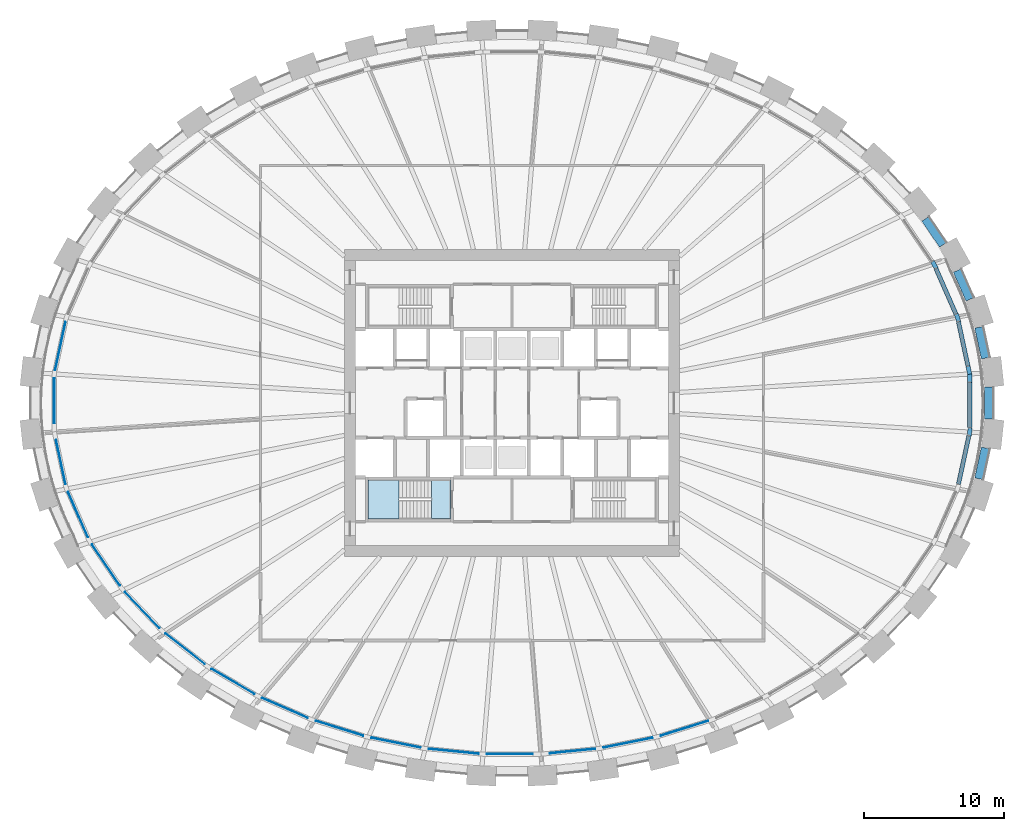
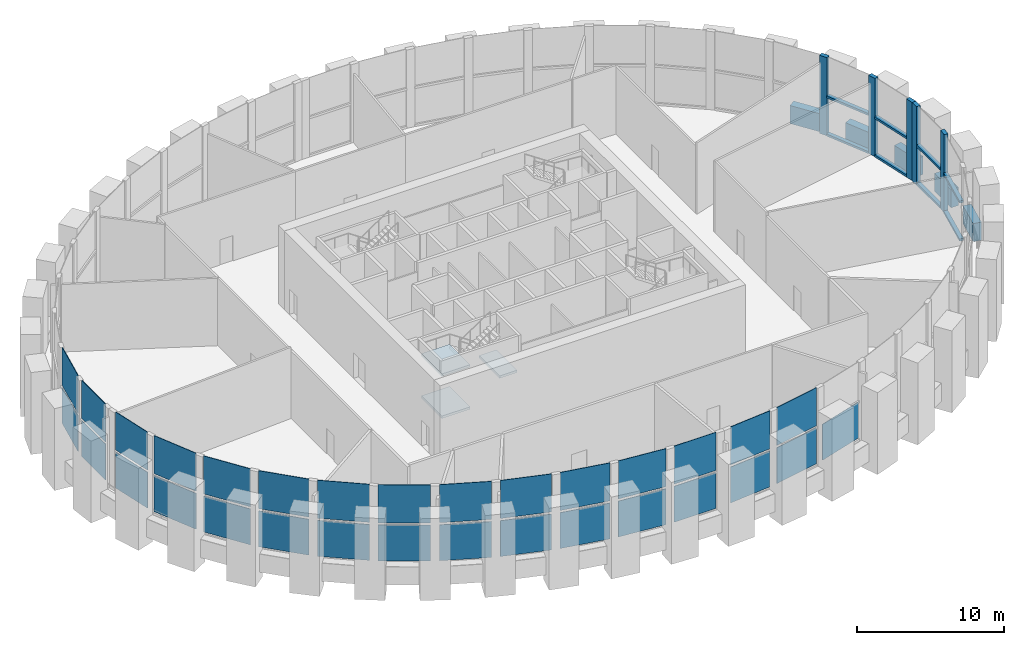
# One storey, part 5 of 16: 31 plates, 13 members, 5 beams, 3 slabs, 5 elements without a shape of their own.
"""IFC4 building model written with IfcOpenShell, lengths in metres."""

from ifc_helpers import new_model, si_unit, direction, frame, origin, origin_2d, place, context, subcontext, project, spatial, polyline, rectangle, outline, extrude, source, transform, mapped, material, layer, layer_set, material_profile, profile_set, type_object, element, aggregate, save


model = new_model("IFC4")

# Units and contexts
model_context = context("Model", 3, precision=1e-05, world=origin(), true_north=direction((0.0, 1.0)))
body_context = subcontext(model_context, "Body", "Model", "MODEL_VIEW")
ifc_project = project(units=[si_unit("LENGTHUNIT", "METRE"), si_unit("AREAUNIT", "SQUARE_METRE"), si_unit("VOLUMEUNIT", "CUBIC_METRE"), si_unit("PLANEANGLEUNIT", "RADIAN"), si_unit("MASSUNIT", "GRAM", prefix="KILO")], contexts=[model_context])

# Site, building, storey
site_placement = place(None, origin())
site = spatial("IfcSite", under=ifc_project, at=site_placement, CompositionType="ELEMENT")
building_placement = place(site_placement, origin())
building = spatial("IfcBuilding", under=site, at=building_placement, Name="Embergate Tower", CompositionType="ELEMENT")
storey_placement = place(building_placement, frame((0.0, 0.0, 234.60009765625)))
storey = spatial("IfcBuildingStorey", under=building, at=storey_placement, Name="L54", CompositionType="ELEMENT", Elevation=234.60009765625)

# Beams
ifc_material_1 = material(Name="Concrete C60", Category="concrete")
ifc_material_profile_1 = material_profile(ifc_material_1, rectangle(XDim=0.60009765625, YDim=1.5, at=origin_2d()), Name="RC 600x1500")
ifc_profile_set_1 = profile_set([ifc_material_profile_1], Name="Concrete C60")
beam_type = type_object("IfcBeamType", Name="Spandrel beam RC 600x1500 C60", PredefinedType="BEAM", material=ifc_profile_set_1)
shared_shape_1 = source(origin(), body_context, "Body", "SweptSolid", [
    extrude(rectangle(XDim=0.60009765625, YDim=1.5, at=origin_2d()), origin(), (0.0, 0.0, 1.0), 2.256591796875),
])
for number, where, z_axis, x_axis, name in (
    (1, (33.89501953125, 3.217041015625, 0.0), (-0.210533806933, 0.977586577311, 0.0), (-0.977586577311, -0.210533806933, 0.0), "SPN-L54-00"),
    (2, (33.419921875, -5.423095703125, 0.0), (0.210533806933, 0.977586577311, 0.0), (-0.977586577311, 0.210533806933, 0.0), "SPN-L54-42"),
):
    element("IfcBeam", number, at=place(storey_placement, frame(where, z_axis=z_axis, x_axis=x_axis)), inside=storey, type_object=beam_type, Name=name, PredefinedType="BEAM", context=body_context, shape_type="MappedRepresentation", body=[
        mapped(shared_shape_1, transform((0.0, 0.0, 0.0))),
    ])
shared_shape_2 = source(origin(), body_context, "Body", "SweptSolid", [
    extrude(rectangle(XDim=0.60009765625, YDim=1.5, at=origin_2d()), origin(), (0.0, 0.0, 1.0), 2.252685546875),
])
beam_1_placement = place(storey_placement, frame((32.77392578125, 7.4208984375, 0.0), z_axis=(-0.401739626426, 0.915753936688, 0.0), x_axis=(-0.915753936688, -0.401739626426, 0.0)))
element("IfcBeam", 3, at=beam_1_placement, inside=storey, type_object=beam_type, Name="SPN-L54-01", PredefinedType="BEAM", context=body_context, shape_type="MappedRepresentation", body=[
    mapped(shared_shape_2, transform((0.0, 0.0, 0.0))),
])
shared_shape_3 = source(origin(), body_context, "Body", "SweptSolid", [
    extrude(rectangle(XDim=0.60009765625, YDim=1.5, at=origin_2d()), origin(), (0.0, 0.0, 1.0), 2.247802734375),
])
beam_2_placement = place(storey_placement, frame((30.85302734375, 11.322021484375, 0.0), z_axis=(-0.562271401441, 0.826952762328, 0.0), x_axis=(-0.826952762328, -0.562271401441, 0.0)))
element("IfcBeam", 4, at=beam_2_placement, inside=storey, type_object=beam_type, Name="SPN-L54-02", PredefinedType="BEAM", context=body_context, shape_type="MappedRepresentation", body=[
    mapped(shared_shape_3, transform((0.0, 0.0, 0.0))),
])
shared_shape_4 = source(origin(), body_context, "Body", "SweptSolid", [
    extrude(rectangle(XDim=0.60009765625, YDim=1.5, at=origin_2d()), origin(), (0.0, 0.0, 1.0), 2.26220703125),
])
beam_3_placement = place(storey_placement, frame((34.136962890625, -1.131103515625, 0.0), z_axis=(0.0, 1.0, 0.0), x_axis=(-1.0, 0.0, 0.0)))
element("IfcBeam", 5, at=beam_3_placement, inside=storey, type_object=beam_type, Name="SPN-L54-43", PredefinedType="BEAM", context=body_context, shape_type="MappedRepresentation", body=[
    mapped(shared_shape_4, transform((0.0, 0.0, 0.0))),
])

# Curtain wall, members
ifc_material_2 = material(Name="Aluminium and glass", Category="aluminium")
curtain_wall_type = type_object("IfcCurtainWallType", Name="Sky lobby high glazing", PredefinedType="NOTDEFINED", material=ifc_material_2)
curtain_wall_1_placement = place(storey_placement, origin())
curtain_wall_1 = element("IfcCurtainWall", 6, at=curtain_wall_1_placement, inside=storey, type_object=curtain_wall_type, Name="Sky lobby high glazing run 1", ObjectType="SKY LOBBY HIGH GLAZING", PredefinedType="USERDEFINED")
ifc_material_3 = material(Name="Aluminium, thermally broken", Category="aluminium")
ifc_material_profile_2 = material_profile(ifc_material_3, rectangle(XDim=0.300048828125, YDim=0.60009765625, at=origin_2d()), Name="AL 600x300")
ifc_profile_set_2 = profile_set([ifc_material_profile_2], Name="Aluminium, thermally broken")
member_type_1 = type_object("IfcMemberType", Name="Sky lobby mullion", PredefinedType="MULLION", material=ifc_profile_set_2)
shared_shape_5 = source(origin(), body_context, "Body", "SweptSolid", [
    extrude(rectangle(XDim=0.300048828125, YDim=0.60009765625, at=origin_2d()), origin(), (0.0, 0.0, 1.0), 6.5),
])
member_1_placement = place(storey_placement, frame((32.704345703125, 2.355224609375, 0.0), z_axis=(0.0, 0.0, 1.0), x_axis=(-0.977614996305, -0.210401803698, 0.0)))
member_1 = element("IfcMember", 7, at=member_1_placement, type_object=member_type_1, Name="CW mullion 1", PredefinedType="MULLION", context=body_context, shape_type="MappedRepresentation", body=[
    mapped(shared_shape_5, transform((0.0, 0.0, 0.0))),
])
member_2_placement = place(storey_placement, frame((31.899169921875, 6.096435546875, 0.0), z_axis=(0.0, 0.0, 1.0), x_axis=(-0.951490817264, -0.307677143547, 0.0)))
member_2 = element("IfcMember", 8, at=member_2_placement, type_object=member_type_1, Name="CW mullion 2", PredefinedType="MULLION", context=body_context, shape_type="MappedRepresentation", body=[
    mapped(shared_shape_5, transform((0.0, 0.0, 0.0))),
])
member_3_placement = place(storey_placement, frame((30.238525390625, 9.8828125, 0.0), z_axis=(0.0, 0.0, 1.0), x_axis=(-0.874989221314, -0.484142399078, 0.0)))
member_3 = element("IfcMember", 9, at=member_3_placement, type_object=member_type_1, Name="CW mullion 3", PredefinedType="MULLION", context=body_context, shape_type="MappedRepresentation", body=[
    mapped(shared_shape_5, transform((0.0, 0.0, 0.0))),
])

curtain_wall_2_placement = place(storey_placement, origin())
curtain_wall_2 = element("IfcCurtainWall", 10, at=curtain_wall_2_placement, inside=storey, type_object=curtain_wall_type, Name="Sky lobby high glazing run 4", ObjectType="SKY LOBBY HIGH GLAZING", PredefinedType="USERDEFINED")
member_4_placement = place(storey_placement, frame((32.767578125, -2.06201171875, 0.0), z_axis=(0.0, 0.0, 1.0), x_axis=(-0.994384031216, 0.105831934987, 0.0)))
member_4 = element("IfcMember", 11, at=member_4_placement, type_object=member_type_1, Name="CW mullion 11", PredefinedType="MULLION", context=body_context, shape_type="MappedRepresentation", body=[
    mapped(shared_shape_5, transform((0.0, 0.0, 0.0))),
])
member_5_placement = place(storey_placement, frame((32.767578125, 1.761962890625, 0.0), z_axis=(0.0, 0.0, 1.0), x_axis=(-1.0, 0.0, 0.0)))
member_5 = element("IfcMember", 12, at=member_5_placement, type_object=member_type_1, Name="CW mullion 12", PredefinedType="MULLION", context=body_context, shape_type="MappedRepresentation", body=[
    mapped(shared_shape_5, transform((0.0, 0.0, 0.0))),
])

# Member
ifc_material_profile_3 = material_profile(ifc_material_3, rectangle(XDim=0.300048828125, YDim=0.179931640625, at=origin_2d()), Name="AL 180x300")
ifc_profile_set_3 = profile_set([ifc_material_profile_3], Name="Aluminium, thermally broken")
member_type_2 = type_object("IfcMemberType", Name="Sky lobby transom", PredefinedType="USERDEFINED", material=ifc_profile_set_3)
shared_shape_6 = source(origin(), body_context, "Body", "SweptSolid", [
    extrude(rectangle(XDim=0.300048828125, YDim=0.179931640625, at=origin_2d()), origin(), (0.0, 0.0, 1.0), 3.226806640625),
])
member_6_placement = place(storey_placement, frame((32.641357421875, 2.6484375, 0.08984375), z_axis=(-0.210412573231, 0.97761267843, 0.0), x_axis=(-0.97761267843, -0.210412573231, 0.0)))
member_6 = element("IfcMember", 13, at=member_6_placement, type_object=member_type_2, Name="CW transom 1.1", ObjectType="TRANSOM", PredefinedType="USERDEFINED", context=body_context, shape_type="MappedRepresentation", body=[
    mapped(shared_shape_6, transform((0.0, 0.0, 0.0))),
])

member_7_placement = place(storey_placement, frame((32.641357421875, 2.6484375, 3.25), z_axis=(-0.210412573231, 0.97761267843, 0.0), x_axis=(-0.97761267843, -0.210412573231, 0.0)))
member_7 = element("IfcMember", 14, at=member_7_placement, type_object=member_type_2, Name="CW transom 1.2", ObjectType="TRANSOM", PredefinedType="USERDEFINED", context=body_context, shape_type="MappedRepresentation", body=[
    mapped(shared_shape_6, transform((0.0, 0.0, 0.0))),
])

shared_shape_7 = source(origin(), body_context, "Body", "SweptSolid", [
    extrude(rectangle(XDim=0.300048828125, YDim=0.179931640625, at=origin_2d()), origin(), (0.0, 0.0, 1.0), 3.53466796875),
])
member_8_placement = place(storey_placement, frame((31.77880859375, 6.37109375, 0.08984375), z_axis=(-0.401699095229, 0.915771716582, 0.0), x_axis=(-0.915771716582, -0.401699095229, 0.0)))
member_8 = element("IfcMember", 15, at=member_8_placement, type_object=member_type_2, Name="CW transom 2.1", ObjectType="TRANSOM", PredefinedType="USERDEFINED", context=body_context, shape_type="MappedRepresentation", body=[
    mapped(shared_shape_7, transform((0.0, 0.0, 0.0))),
])

member_9_placement = place(storey_placement, frame((31.77880859375, 6.37109375, 3.25), z_axis=(-0.401699095229, 0.915771716582, 0.0), x_axis=(-0.915771716582, -0.401699095229, 0.0)))
member_9 = element("IfcMember", 16, at=member_9_placement, type_object=member_type_2, Name="CW transom 2.2", ObjectType="TRANSOM", PredefinedType="USERDEFINED", context=body_context, shape_type="MappedRepresentation", body=[
    mapped(shared_shape_7, transform((0.0, 0.0, 0.0))),
])

aggregate(curtain_wall_1, [member_1, member_2, member_3, member_6, member_7, member_8, member_9])

shared_shape_8 = source(origin(), body_context, "Body", "SweptSolid", [
    extrude(rectangle(XDim=0.300048828125, YDim=0.179931640625, at=origin_2d()), origin(), (0.0, 0.0, 1.0), 3.526611328125),
])
member_10_placement = place(storey_placement, frame((31.96240234375, -5.802978515625, 0.08984375), z_axis=(0.210379991456, 0.97761969047, 0.0), x_axis=(-0.97761969047, 0.210379991456, 0.0)))
member_10 = element("IfcMember", 17, at=member_10_placement, type_object=member_type_2, Name="CW transom 10.1", ObjectType="TRANSOM", PredefinedType="USERDEFINED", context=body_context, shape_type="MappedRepresentation", body=[
    mapped(shared_shape_8, transform((0.0, 0.0, 0.0))),
])

member_11_placement = place(storey_placement, frame((31.96240234375, -5.802978515625, 3.25), z_axis=(0.210379991456, 0.97761969047, 0.0), x_axis=(-0.97761969047, 0.210379991456, 0.0)))
member_11 = element("IfcMember", 18, at=member_11_placement, type_object=member_type_2, Name="CW transom 10.2", ObjectType="TRANSOM", PredefinedType="USERDEFINED", context=body_context, shape_type="MappedRepresentation", body=[
    mapped(shared_shape_8, transform((0.0, 0.0, 0.0))),
])

shared_shape_9 = source(origin(), body_context, "Body", "SweptSolid", [
    extrude(rectangle(XDim=0.300048828125, YDim=0.179931640625, at=origin_2d()), origin(), (0.0, 0.0, 1.0), 3.223876953125),
])
member_12_placement = place(storey_placement, frame((32.767578125, -1.761962890625, 0.08984375), z_axis=(0.0, 1.0, 0.0), x_axis=(-1.0, 0.0, 0.0)))
member_12 = element("IfcMember", 19, at=member_12_placement, type_object=member_type_2, Name="CW transom 11.1", ObjectType="TRANSOM", PredefinedType="USERDEFINED", context=body_context, shape_type="MappedRepresentation", body=[
    mapped(shared_shape_9, transform((0.0, 0.0, 0.0))),
])

member_13_placement = place(storey_placement, frame((32.767578125, -1.761962890625, 3.25), z_axis=(0.0, 1.0, 0.0), x_axis=(-1.0, 0.0, 0.0)))
member_13 = element("IfcMember", 20, at=member_13_placement, type_object=member_type_2, Name="CW transom 11.2", ObjectType="TRANSOM", PredefinedType="USERDEFINED", context=body_context, shape_type="MappedRepresentation", body=[
    mapped(shared_shape_9, transform((0.0, 0.0, 0.0))),
])

# Curtain wall, plates
curtain_wall_3_placement = place(storey_placement, origin())
curtain_wall_3 = element("IfcCurtainWall", 21, at=curtain_wall_3_placement, inside=storey, type_object=curtain_wall_type, Name="Sky lobby high glazing run 3", ObjectType="SKY LOBBY HIGH GLAZING", PredefinedType="USERDEFINED")
ifc_material_4 = material(Name="Triple glazing, low-emissivity coating", Category="glass")
ifc_layer_1 = layer(ifc_material_4, 0.0439453125)
ifc_layer_set_1 = layer_set([ifc_layer_1], Name="Triple glazing, low-emissivity coating")
plate_type = type_object("IfcPlateType", Name="Sky lobby glazing unit", PredefinedType="CURTAIN_PANEL", material=ifc_layer_set_1)
shared_shape_10 = source(origin(), body_context, "Body", "SweptSolid", [
    extrude(rectangle(XDim=3.226806640625, YDim=0.0439453125, at=origin_2d()), origin(), (0.0, 0.0, 1.0), 2.97998046875),
])
plate_1_placement = place(storey_placement, frame((-32.3017578125, -4.225830078125, 0.179931640625), z_axis=(0.0, 0.0, 1.0), x_axis=(0.210401803698, -0.977614996305, 0.0)))
plate_1 = element("IfcPlate", 22, at=plate_1_placement, type_object=plate_type, Name="CW panel 1.1", PredefinedType="CURTAIN_PANEL", context=body_context, shape_type="MappedRepresentation", body=[
    mapped(shared_shape_10, transform((0.0, 0.0, 0.0))),
])
shared_shape_11 = source(origin(), body_context, "Body", "SweptSolid", [
    extrude(rectangle(XDim=3.226806640625, YDim=0.0439453125, at=origin_2d()), origin(), (0.0, 0.0, 1.0), 3.159912109375),
])
plate_2_placement = place(storey_placement, frame((-32.3017578125, -4.225830078125, 3.33984375), z_axis=(0.0, 0.0, 1.0), x_axis=(0.210401803698, -0.977614996305, 0.0)))
plate_2 = element("IfcPlate", 23, at=plate_2_placement, type_object=plate_type, Name="CW panel 1.2", PredefinedType="CURTAIN_PANEL", context=body_context, shape_type="MappedRepresentation", body=[
    mapped(shared_shape_11, transform((0.0, 0.0, 0.0))),
])
shared_shape_12 = source(origin(), body_context, "Body", "SweptSolid", [
    extrude(rectangle(XDim=3.53466796875, YDim=0.0439453125, at=origin_2d()), origin(), (0.0, 0.0, 1.0), 2.97998046875),
])
plate_3_placement = place(storey_placement, frame((-31.06884765625, -7.989501953125, 0.179931640625), z_axis=(0.0, 0.0, 1.0), x_axis=(0.401656896229, -0.915790225822, 0.0)))
plate_3 = element("IfcPlate", 24, at=plate_3_placement, type_object=plate_type, Name="CW panel 2.1", PredefinedType="CURTAIN_PANEL", context=body_context, shape_type="MappedRepresentation", body=[
    mapped(shared_shape_12, transform((0.0, 0.0, 0.0))),
])
shared_shape_13 = source(origin(), body_context, "Body", "SweptSolid", [
    extrude(rectangle(XDim=3.53466796875, YDim=0.0439453125, at=origin_2d()), origin(), (0.0, 0.0, 1.0), 3.159912109375),
])
plate_4_placement = place(storey_placement, frame((-31.06884765625, -7.989501953125, 3.33984375), z_axis=(0.0, 0.0, 1.0), x_axis=(0.401656896229, -0.915790225822, 0.0)))
plate_4 = element("IfcPlate", 25, at=plate_4_placement, type_object=plate_type, Name="CW panel 2.2", PredefinedType="CURTAIN_PANEL", context=body_context, shape_type="MappedRepresentation", body=[
    mapped(shared_shape_13, transform((0.0, 0.0, 0.0))),
])
shared_shape_14 = source(origin(), body_context, "Body", "SweptSolid", [
    extrude(rectangle(XDim=3.54443359375, YDim=0.0439453125, at=origin_2d()), origin(), (0.0, 0.0, 1.0), 2.97998046875),
])
plate_5_placement = place(storey_placement, frame((-29.0732421875, -11.59619140625, 0.179931640625), z_axis=(0.0, 0.0, 1.0), x_axis=(0.562346071572, -0.826901986809, 0.0)))
plate_5 = element("IfcPlate", 26, at=plate_5_placement, type_object=plate_type, Name="CW panel 3.1", PredefinedType="CURTAIN_PANEL", context=body_context, shape_type="MappedRepresentation", body=[
    mapped(shared_shape_14, transform((0.0, 0.0, 0.0))),
])
shared_shape_15 = source(origin(), body_context, "Body", "SweptSolid", [
    extrude(rectangle(XDim=3.54443359375, YDim=0.0439453125, at=origin_2d()), origin(), (0.0, 0.0, 1.0), 3.159912109375),
])
plate_6_placement = place(storey_placement, frame((-29.0732421875, -11.59619140625, 3.33984375), z_axis=(0.0, 0.0, 1.0), x_axis=(0.562346071572, -0.826901986809, 0.0)))
plate_6 = element("IfcPlate", 27, at=plate_6_placement, type_object=plate_type, Name="CW panel 3.2", PredefinedType="CURTAIN_PANEL", context=body_context, shape_type="MappedRepresentation", body=[
    mapped(shared_shape_15, transform((0.0, 0.0, 0.0))),
])
shared_shape_16 = source(origin(), body_context, "Body", "SweptSolid", [
    extrude(rectangle(XDim=3.55419921875, YDim=0.0439453125, at=origin_2d()), origin(), (0.0, 0.0, 1.0), 2.97998046875),
])
plate_7_placement = place(storey_placement, frame((-26.474609375, -14.81298828125, 0.179931640625), z_axis=(0.0, 0.0, 1.0), x_axis=(0.690136310586, -0.723679399189, 0.0)))
plate_7 = element("IfcPlate", 28, at=plate_7_placement, type_object=plate_type, Name="CW panel 4.1", PredefinedType="CURTAIN_PANEL", context=body_context, shape_type="MappedRepresentation", body=[
    mapped(shared_shape_16, transform((0.0, 0.0, 0.0))),
])
shared_shape_17 = source(origin(), body_context, "Body", "SweptSolid", [
    extrude(rectangle(XDim=3.55419921875, YDim=0.0439453125, at=origin_2d()), origin(), (0.0, 0.0, 1.0), 3.159912109375),
])
plate_8_placement = place(storey_placement, frame((-26.474609375, -14.81298828125, 3.33984375), z_axis=(0.0, 0.0, 1.0), x_axis=(0.690136310586, -0.723679399189, 0.0)))
plate_8 = element("IfcPlate", 29, at=plate_8_placement, type_object=plate_type, Name="CW panel 4.2", PredefinedType="CURTAIN_PANEL", context=body_context, shape_type="MappedRepresentation", body=[
    mapped(shared_shape_17, transform((0.0, 0.0, 0.0))),
])
shared_shape_18 = source(origin(), body_context, "Body", "SweptSolid", [
    extrude(rectangle(XDim=3.5625, YDim=0.0439453125, at=origin_2d()), origin(), (0.0, 0.0, 1.0), 2.97998046875),
])
plate_9_placement = place(storey_placement, frame((-23.400390625, -17.5966796875, 0.179931640625), z_axis=(0.0, 0.0, 1.0), x_axis=(0.788321193094, -0.615263924279, 0.0)))
plate_9 = element("IfcPlate", 30, at=plate_9_placement, type_object=plate_type, Name="CW panel 5.1", PredefinedType="CURTAIN_PANEL", context=body_context, shape_type="MappedRepresentation", body=[
    mapped(shared_shape_18, transform((0.0, 0.0, 0.0))),
])
shared_shape_19 = source(origin(), body_context, "Body", "SweptSolid", [
    extrude(rectangle(XDim=3.5625, YDim=0.0439453125, at=origin_2d()), origin(), (0.0, 0.0, 1.0), 3.159912109375),
])
plate_10_placement = place(storey_placement, frame((-23.400390625, -17.5966796875, 3.33984375), z_axis=(0.0, 0.0, 1.0), x_axis=(0.788321193094, -0.615263924279, 0.0)))
plate_10 = element("IfcPlate", 31, at=plate_10_placement, type_object=plate_type, Name="CW panel 5.2", PredefinedType="CURTAIN_PANEL", context=body_context, shape_type="MappedRepresentation", body=[
    mapped(shared_shape_19, transform((0.0, 0.0, 0.0))),
])
shared_shape_20 = source(origin(), body_context, "Body", "SweptSolid", [
    extrude(rectangle(XDim=3.569091796875, YDim=0.0439453125, at=origin_2d()), origin(), (0.0, 0.0, 1.0), 2.97998046875),
])
plate_11_placement = place(storey_placement, frame((-19.962646484375, -19.93359375, 0.179931640625), z_axis=(0.0, 0.0, 1.0), x_axis=(0.862053167811, -0.50681785275, 0.0)))
plate_11 = element("IfcPlate", 32, at=plate_11_placement, type_object=plate_type, Name="CW panel 6.1", PredefinedType="CURTAIN_PANEL", context=body_context, shape_type="MappedRepresentation", body=[
    mapped(shared_shape_20, transform((0.0, 0.0, 0.0))),
])
shared_shape_21 = source(origin(), body_context, "Body", "SweptSolid", [
    extrude(rectangle(XDim=3.569091796875, YDim=0.0439453125, at=origin_2d()), origin(), (0.0, 0.0, 1.0), 3.159912109375),
])
plate_12_placement = place(storey_placement, frame((-19.962646484375, -19.93359375, 3.33984375), z_axis=(0.0, 0.0, 1.0), x_axis=(0.862053167811, -0.50681785275, 0.0)))
plate_12 = element("IfcPlate", 33, at=plate_12_placement, type_object=plate_type, Name="CW panel 6.2", PredefinedType="CURTAIN_PANEL", context=body_context, shape_type="MappedRepresentation", body=[
    mapped(shared_shape_21, transform((0.0, 0.0, 0.0))),
])
shared_shape_22 = source(origin(), body_context, "Body", "SweptSolid", [
    extrude(rectangle(XDim=3.57421875, YDim=0.0439453125, at=origin_2d()), origin(), (0.0, 0.0, 1.0), 2.97998046875),
])
plate_13_placement = place(storey_placement, frame((-16.25341796875, -21.826416015625, 0.179931640625), z_axis=(0.0, 0.0, 1.0), x_axis=(0.916236211741, -0.400638495772, 0.0)))
plate_13 = element("IfcPlate", 34, at=plate_13_placement, type_object=plate_type, Name="CW panel 7.1", PredefinedType="CURTAIN_PANEL", context=body_context, shape_type="MappedRepresentation", body=[
    mapped(shared_shape_22, transform((0.0, 0.0, 0.0))),
])
shared_shape_23 = source(origin(), body_context, "Body", "SweptSolid", [
    extrude(rectangle(XDim=3.57421875, YDim=0.0439453125, at=origin_2d()), origin(), (0.0, 0.0, 1.0), 3.159912109375),
])
plate_14_placement = place(storey_placement, frame((-16.25341796875, -21.826416015625, 3.33984375), z_axis=(0.0, 0.0, 1.0), x_axis=(0.916236211741, -0.400638495772, 0.0)))
plate_14 = element("IfcPlate", 35, at=plate_14_placement, type_object=plate_type, Name="CW panel 7.2", PredefinedType="CURTAIN_PANEL", context=body_context, shape_type="MappedRepresentation", body=[
    mapped(shared_shape_23, transform((0.0, 0.0, 0.0))),
])
shared_shape_24 = source(origin(), body_context, "Body", "SweptSolid", [
    extrude(rectangle(XDim=3.577880859375, YDim=0.0439453125, at=origin_2d()), origin(), (0.0, 0.0, 1.0), 2.97998046875),
])
plate_15_placement = place(storey_placement, frame((-12.346435546875, -23.28369140625, 0.179931640625), z_axis=(0.0, 0.0, 1.0), x_axis=(0.95477169822, -0.297339880067, 0.0)))
plate_15 = element("IfcPlate", 36, at=plate_15_placement, type_object=plate_type, Name="CW panel 8.1", PredefinedType="CURTAIN_PANEL", context=body_context, shape_type="MappedRepresentation", body=[
    mapped(shared_shape_24, transform((0.0, 0.0, 0.0))),
])

# Plate
plate_16_placement = place(storey_placement, frame((12.346435546875, -23.28369140625, 0.179931640625), z_axis=(0.0, 0.0, 1.0), x_axis=(0.95477169822, 0.297339880067, 0.0)))
plate_16 = element("IfcPlate", 37, at=plate_16_placement, type_object=plate_type, Name="CW panel 3.1", PredefinedType="CURTAIN_PANEL", context=body_context, shape_type="MappedRepresentation", body=[
    mapped(shared_shape_24, transform((0.0, 0.0, 0.0))),
])

shared_shape_25 = source(origin(), body_context, "Body", "SweptSolid", [
    extrude(rectangle(XDim=3.577880859375, YDim=0.0439453125, at=origin_2d()), origin(), (0.0, 0.0, 1.0), 3.159912109375),
])
plate_17_placement = place(storey_placement, frame((-12.346435546875, -23.28369140625, 3.33984375), z_axis=(0.0, 0.0, 1.0), x_axis=(0.95477169822, -0.297339880067, 0.0)))
plate_17 = element("IfcPlate", 38, at=plate_17_placement, type_object=plate_type, Name="CW panel 8.2", PredefinedType="CURTAIN_PANEL", context=body_context, shape_type="MappedRepresentation", body=[
    mapped(shared_shape_25, transform((0.0, 0.0, 0.0))),
])

shared_shape_26 = source(origin(), body_context, "Body", "SweptSolid", [
    extrude(rectangle(XDim=3.58056640625, YDim=0.0439453125, at=origin_2d()), origin(), (0.0, 0.0, 1.0), 2.97998046875),
])
plate_18_placement = place(storey_placement, frame((-8.302490234375, -24.31591796875, 0.179931640625), z_axis=(0.0, 0.0, 1.0), x_axis=(0.980475907409, -0.196639250889, 0.0)))
plate_18 = element("IfcPlate", 39, at=plate_18_placement, type_object=plate_type, Name="CW panel 9.1", PredefinedType="CURTAIN_PANEL", context=body_context, shape_type="MappedRepresentation", body=[
    mapped(shared_shape_26, transform((0.0, 0.0, 0.0))),
])

plate_19_placement = place(storey_placement, frame((8.302490234375, -24.31591796875, 0.179931640625), z_axis=(0.0, 0.0, 1.0), x_axis=(0.980475907409, 0.196639250889, 0.0)))
plate_19 = element("IfcPlate", 40, at=plate_19_placement, type_object=plate_type, Name="CW panel 2.1", PredefinedType="CURTAIN_PANEL", context=body_context, shape_type="MappedRepresentation", body=[
    mapped(shared_shape_26, transform((0.0, 0.0, 0.0))),
])

shared_shape_27 = source(origin(), body_context, "Body", "SweptSolid", [
    extrude(rectangle(XDim=3.58056640625, YDim=0.0439453125, at=origin_2d()), origin(), (0.0, 0.0, 1.0), 3.159912109375),
])
plate_20_placement = place(storey_placement, frame((-8.302490234375, -24.31591796875, 3.33984375), z_axis=(0.0, 0.0, 1.0), x_axis=(0.980475907409, -0.196639250889, 0.0)))
plate_20 = element("IfcPlate", 41, at=plate_20_placement, type_object=plate_type, Name="CW panel 9.2", PredefinedType="CURTAIN_PANEL", context=body_context, shape_type="MappedRepresentation", body=[
    mapped(shared_shape_27, transform((0.0, 0.0, 0.0))),
])

plate_21_placement = place(storey_placement, frame((8.302490234375, -24.31591796875, 3.33984375), z_axis=(0.0, 0.0, 1.0), x_axis=(0.980475907409, 0.196639250889, 0.0)))
plate_21 = element("IfcPlate", 42, at=plate_21_placement, type_object=plate_type, Name="CW panel 2.2", PredefinedType="CURTAIN_PANEL", context=body_context, shape_type="MappedRepresentation", body=[
    mapped(shared_shape_27, transform((0.0, 0.0, 0.0))),
])

shared_shape_28 = source(origin(), body_context, "Body", "SweptSolid", [
    extrude(rectangle(XDim=3.581787109375, YDim=0.0439453125, at=origin_2d()), origin(), (0.0, 0.0, 1.0), 2.97998046875),
])
plate_22_placement = place(storey_placement, frame((-4.172119140625, -24.931396484375, 0.179931640625), z_axis=(0.0, 0.0, 1.0), x_axis=(0.995203184788, -0.097829550688, 0.0)))
plate_22 = element("IfcPlate", 43, at=plate_22_placement, type_object=plate_type, Name="CW panel 10.1", PredefinedType="CURTAIN_PANEL", context=body_context, shape_type="MappedRepresentation", body=[
    mapped(shared_shape_28, transform((0.0, 0.0, 0.0))),
])

shared_shape_29 = source(origin(), body_context, "Body", "SweptSolid", [
    extrude(rectangle(XDim=3.581787109375, YDim=0.0439453125, at=origin_2d()), origin(), (0.0, 0.0, 1.0), 3.159912109375),
])
plate_23_placement = place(storey_placement, frame((-4.172119140625, -24.931396484375, 3.33984375), z_axis=(0.0, 0.0, 1.0), x_axis=(0.995203184788, -0.097829550688, 0.0)))
plate_23 = element("IfcPlate", 44, at=plate_23_placement, type_object=plate_type, Name="CW panel 10.2", PredefinedType="CURTAIN_PANEL", context=body_context, shape_type="MappedRepresentation", body=[
    mapped(shared_shape_29, transform((0.0, 0.0, 0.0))),
])

shared_shape_30 = source(origin(), body_context, "Body", "SweptSolid", [
    extrude(rectangle(XDim=3.282470703125, YDim=0.0439453125, at=origin_2d()), origin(), (0.0, 0.0, 1.0), 2.97998046875),
])
plate_24_placement = place(storey_placement, frame((-0.14990234375, -25.135986328125, 0.179931640625), z_axis=(0.0, 0.0, 1.0), x_axis=(1.0, 0.0, 0.0)))
plate_24 = element("IfcPlate", 45, at=plate_24_placement, type_object=plate_type, Name="CW panel 11.1", PredefinedType="CURTAIN_PANEL", context=body_context, shape_type="MappedRepresentation", body=[
    mapped(shared_shape_30, transform((0.0, 0.0, 0.0))),
])

shared_shape_31 = source(origin(), body_context, "Body", "SweptSolid", [
    extrude(rectangle(XDim=3.282470703125, YDim=0.0439453125, at=origin_2d()), origin(), (0.0, 0.0, 1.0), 3.159912109375),
])
plate_25_placement = place(storey_placement, frame((-0.14990234375, -25.135986328125, 3.33984375), z_axis=(0.0, 0.0, 1.0), x_axis=(1.0, 0.0, 0.0)))
plate_25 = element("IfcPlate", 46, at=plate_25_placement, type_object=plate_type, Name="CW panel 11.2", PredefinedType="CURTAIN_PANEL", context=body_context, shape_type="MappedRepresentation", body=[
    mapped(shared_shape_31, transform((0.0, 0.0, 0.0))),
])

aggregate(curtain_wall_3, [plate_1, plate_2, plate_3, plate_4, plate_5, plate_6, plate_7, plate_8, plate_9, plate_10, plate_11, plate_12, plate_13, plate_14, plate_15, plate_17, plate_18, plate_20, plate_22, plate_23, plate_24, plate_25])

shared_shape_32 = source(origin(), body_context, "Body", "SweptSolid", [
    extrude(rectangle(XDim=3.281982421875, YDim=0.0439453125, at=origin_2d()), origin(), (0.0, 0.0, 1.0), 2.97998046875),
])
plate_26_placement = place(storey_placement, frame((4.3212890625, -24.916748046875, 0.179931640625), z_axis=(0.0, 0.0, 1.0), x_axis=(0.995203184788, 0.097829550688, 0.0)))
plate_26 = element("IfcPlate", 47, at=plate_26_placement, type_object=plate_type, Name="CW panel 1.1", PredefinedType="CURTAIN_PANEL", context=body_context, shape_type="MappedRepresentation", body=[
    mapped(shared_shape_32, transform((0.0, 0.0, 0.0))),
])

shared_shape_33 = source(origin(), body_context, "Body", "SweptSolid", [
    extrude(rectangle(XDim=3.281982421875, YDim=0.0439453125, at=origin_2d()), origin(), (0.0, 0.0, 1.0), 3.159912109375),
])
plate_27_placement = place(storey_placement, frame((4.3212890625, -24.916748046875, 3.33984375), z_axis=(0.0, 0.0, 1.0), x_axis=(0.995203184788, 0.097829550688, 0.0)))
plate_27 = element("IfcPlate", 48, at=plate_27_placement, type_object=plate_type, Name="CW panel 1.2", PredefinedType="CURTAIN_PANEL", context=body_context, shape_type="MappedRepresentation", body=[
    mapped(shared_shape_33, transform((0.0, 0.0, 0.0))),
])

aggregate(curtain_wall_2, [member_4, member_5, plate_26, plate_27, plate_19, plate_21, plate_16, member_10, member_11, member_12, member_13])

# Curtain wall, plates
curtain_wall_4_placement = place(storey_placement, origin())
curtain_wall_4 = element("IfcCurtainWall", 49, at=curtain_wall_4_placement, inside=storey, type_object=curtain_wall_type, Name="Sky lobby high glazing run 2", ObjectType="SKY LOBBY HIGH GLAZING", PredefinedType="USERDEFINED")
shared_shape_34 = source(origin(), body_context, "Body", "SweptSolid", [
    extrude(rectangle(XDim=3.52685546875, YDim=0.0439453125, at=origin_2d()), origin(), (0.0, 0.0, 1.0), 2.97998046875),
])
plate_28_placement = place(storey_placement, frame((-32.33349609375, 4.0791015625, 0.179931640625), z_axis=(0.0, 0.0, 1.0), x_axis=(-0.210401803698, -0.977614996305, 0.0)))
plate_28 = element("IfcPlate", 50, at=plate_28_placement, type_object=plate_type, Name="CW panel 10.1", PredefinedType="CURTAIN_PANEL", context=body_context, shape_type="MappedRepresentation", body=[
    mapped(shared_shape_34, transform((0.0, 0.0, 0.0))),
])
shared_shape_35 = source(origin(), body_context, "Body", "SweptSolid", [
    extrude(rectangle(XDim=3.52685546875, YDim=0.0439453125, at=origin_2d()), origin(), (0.0, 0.0, 1.0), 3.159912109375),
])
plate_29_placement = place(storey_placement, frame((-32.33349609375, 4.0791015625, 3.33984375), z_axis=(0.0, 0.0, 1.0), x_axis=(-0.210401803698, -0.977614996305, 0.0)))
plate_29 = element("IfcPlate", 51, at=plate_29_placement, type_object=plate_type, Name="CW panel 10.2", PredefinedType="CURTAIN_PANEL", context=body_context, shape_type="MappedRepresentation", body=[
    mapped(shared_shape_35, transform((0.0, 0.0, 0.0))),
])
shared_shape_36 = source(origin(), body_context, "Body", "SweptSolid", [
    extrude(rectangle(XDim=3.223876953125, YDim=0.0439453125, at=origin_2d()), origin(), (0.0, 0.0, 1.0), 2.97998046875),
])
plate_30_placement = place(storey_placement, frame((-32.767578125, 0.14990234375, 0.179931640625), z_axis=(0.0, 0.0, 1.0), x_axis=(0.0, -1.0, 0.0)))
plate_30 = element("IfcPlate", 52, at=plate_30_placement, type_object=plate_type, Name="CW panel 11.1", PredefinedType="CURTAIN_PANEL", context=body_context, shape_type="MappedRepresentation", body=[
    mapped(shared_shape_36, transform((0.0, 0.0, 0.0))),
])
shared_shape_37 = source(origin(), body_context, "Body", "SweptSolid", [
    extrude(rectangle(XDim=3.223876953125, YDim=0.0439453125, at=origin_2d()), origin(), (0.0, 0.0, 1.0), 3.159912109375),
])
plate_31_placement = place(storey_placement, frame((-32.767578125, 0.14990234375, 3.33984375), z_axis=(0.0, 0.0, 1.0), x_axis=(0.0, -1.0, 0.0)))
plate_31 = element("IfcPlate", 53, at=plate_31_placement, type_object=plate_type, Name="CW panel 11.2", PredefinedType="CURTAIN_PANEL", context=body_context, shape_type="MappedRepresentation", body=[
    mapped(shared_shape_37, transform((0.0, 0.0, 0.0))),
])
aggregate(curtain_wall_4, [plate_28, plate_29, plate_30, plate_31])

# Stair, slabs
ifc_material_5 = material(Name="Exit stair")
stair_type = type_object("IfcStairType", Name="Exit stair", PredefinedType="HALF_TURN_STAIR", material=ifc_material_5)
stair_placement = place(storey_placement, origin())
stair = element("IfcStair", 54, at=stair_placement, inside=storey, type_object=stair_type, Name="L54 Exit stair 3", PredefinedType="HALF_TURN_STAIR")
ifc_material_6 = material(Name="Concrete C40", Category="concrete")
ifc_layer_2 = layer(ifc_material_6, 0.199951171875)
ifc_layer_set_2 = layer_set([ifc_layer_2], Name="Concrete C40")
slab_type = type_object("IfcSlabType", Name="Stair landing reinforced concrete", PredefinedType="LANDING", material=ifc_layer_set_2)
shared_shape_38 = source(origin(), body_context, "Body", "SweptSolid", [
    extrude(outline(polyline([(0.0, 0.0), (2.2099609375, 0.0), (2.2099609375, 2.800048828125), (0.0, 2.800048828125), (0.0, 0.0)])), origin(), (0.0, 0.0, 1.0), 0.2001953125),
])
slab_1_placement = place(storey_placement, frame((-10.300048828125, -8.300048828125, 1.5498046875)))
slab_1 = element("IfcSlab", 55, at=slab_1_placement, type_object=slab_type, Name="ST3 landing 1", PredefinedType="LANDING", context=body_context, shape_type="MappedRepresentation", body=[
    mapped(shared_shape_38, transform((0.0, 0.0, 0.0))),
])
slab_2_placement = place(storey_placement, frame((-10.300048828125, -8.300048828125, 5.0498046875)))
slab_2 = element("IfcSlab", 56, at=slab_2_placement, type_object=slab_type, Name="ST3 landing 3", PredefinedType="LANDING", context=body_context, shape_type="MappedRepresentation", body=[
    mapped(shared_shape_38, transform((0.0, 0.0, 0.0))),
])
shared_shape_39 = source(origin(), body_context, "Body", "SweptSolid", [
    extrude(outline(polyline([(0.0, 0.0), (1.35009765625, 0.0), (1.35009765625, 2.800048828125), (0.0, 2.800048828125), (0.0, 0.0)])), origin(), (0.0, 0.0, 1.0), 0.2001953125),
])
slab_3_placement = place(storey_placement, frame((-5.75, -8.300048828125, 3.2998046875)))
slab_3 = element("IfcSlab", 57, at=slab_3_placement, type_object=slab_type, Name="ST3 landing 2", PredefinedType="LANDING", context=body_context, shape_type="MappedRepresentation", body=[
    mapped(shared_shape_39, transform((0.0, 0.0, 0.0))),
])
aggregate(stair, [slab_1, slab_3, slab_2])

save(model, "model.ifc")
